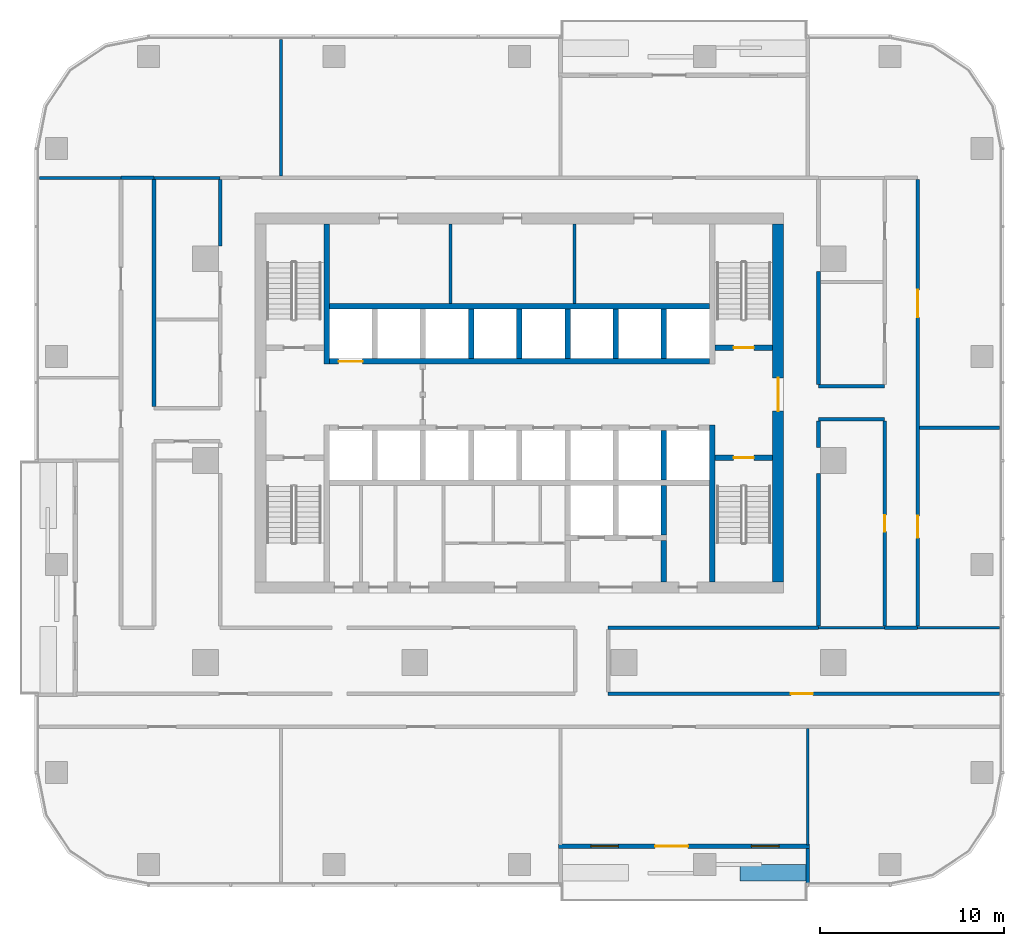
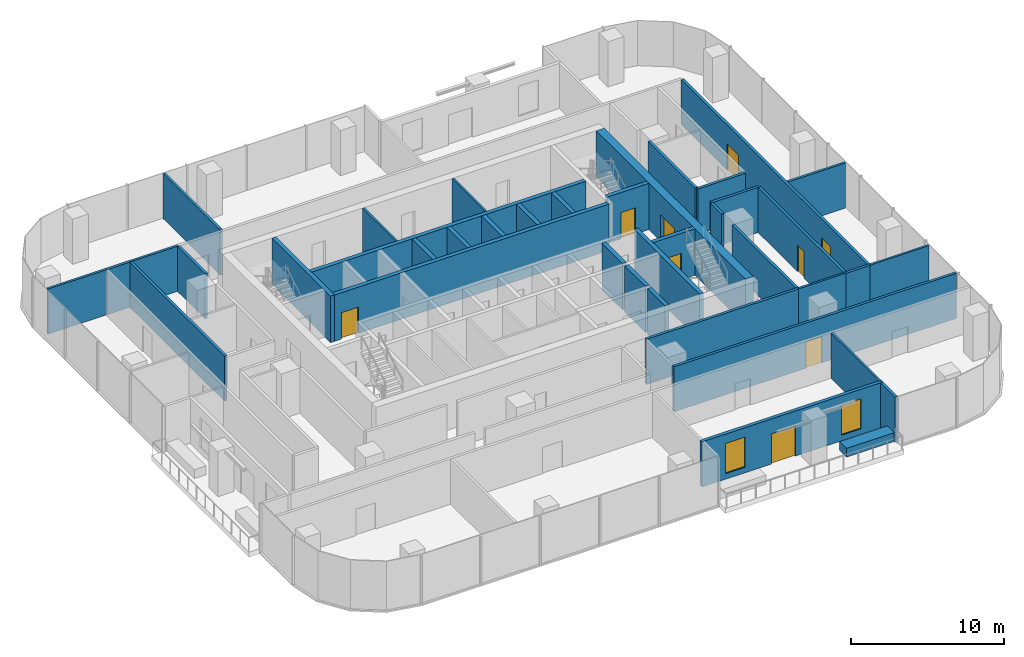
# One storey, part 9 of 14: 40 walls, 9 doors, 2 windows, 11 openings.
"""IFC4 building model written with IfcOpenShell, lengths in metres."""

from ifc_helpers import new_model, si_unit, direction, frame, frame_2d, origin, place, context, subcontext, project, spatial, rectangle, extrude, material, layer, layer_set, type_object, element, fill, save


model = new_model("IFC4")

# Units and contexts
model_context = context("Model", 3, precision=1e-05, world=origin(), true_north=direction((0.0, 1.0)))
body_context = subcontext(model_context, "Body", "Model", "MODEL_VIEW")
ifc_project = project(units=[si_unit("LENGTHUNIT", "METRE"), si_unit("AREAUNIT", "SQUARE_METRE"), si_unit("VOLUMEUNIT", "CUBIC_METRE"), si_unit("PLANEANGLEUNIT", "RADIAN"), si_unit("MASSUNIT", "GRAM", prefix="KILO")], contexts=[model_context])

# Site, building, storey
site_placement = place(None, origin())
site = spatial("IfcSite", under=ifc_project, at=site_placement, CompositionType="ELEMENT")
building_placement = place(site_placement, origin())
building = spatial("IfcBuilding", under=site, at=building_placement, Name="Mopane Tessera Tower", CompositionType="ELEMENT")
storey_placement = place(building_placement, frame((0.0, 0.0, 197.0)))
storey = spatial("IfcBuildingStorey", under=building, at=storey_placement, Name="L41", CompositionType="ELEMENT", Elevation=197.0)

# Walls
ifc_material_1 = material(Name="Fire-rated gypsum board partition")
ifc_layer_1 = layer(ifc_material_1, 0.14990234375)
ifc_layer_set_1 = layer_set([ifc_layer_1], Name="Fire-rated gypsum board partition")
wall_type_1 = type_object("IfcWallType", Name="Core room partition 150 mm", PredefinedType="PARTITIONING", material=ifc_layer_set_1)
for number, where, z_axis, x_axis, name in (
    (1, (-3.75, 8.550048828125, 0.0), (0.0, 0.0, 1.0), (0.0, 1.0, 0.0), "L41 Room partition"),
    (2, (3.0, 8.550048828125, 0.0), (0.0, 0.0, 1.0), (0.0, 1.0, 0.0), "L41 Room partition"),
):
    element("IfcWall", number, at=place(storey_placement, frame(where, z_axis=z_axis, x_axis=x_axis)), inside=storey, type_object=wall_type_1, Name=name, PredefinedType="PARTITIONING", context=body_context, shape_type="SweptSolid", body=[
        extrude(rectangle(XDim=4.349853515625, YDim=0.14990234375, at=frame_2d((2.1748046875, 0.0))), origin(), (0.0, 0.0, 1.0), 3.699951171875),
    ])

# Wall, opening, door
ifc_material_2 = material(Name="Concrete C70/85", Category="concrete")
ifc_layer_2 = layer(ifc_material_2, 0.60009765625)
ifc_layer_set_2 = layer_set([ifc_layer_2], Name="Concrete C70/85")
wall_type_2 = type_object("IfcWallType", Name="Core shear wall 600 mm", PredefinedType="SHEAR", material=ifc_layer_set_2)
wall_1_placement = place(storey_placement, frame((14.10009765625, -6.60009765625, 0.0), z_axis=(0.0, 0.0, 1.0), x_axis=(0.0, 1.0, 0.0)))
wall_1 = element("IfcWall", 3, at=wall_1_placement, inside=storey, type_object=wall_type_2, Name="L41 Core wall east", PredefinedType="SHEAR", context=body_context, shape_type="SweptSolid", body=[
    extrude(rectangle(XDim=19.5, YDim=0.60009765625, at=frame_2d((9.75, 0.0))), origin(), (0.0, 0.0, 1.0), 3.699951171875),
])
opening_1_placement = place(wall_1_placement, frame((9.300048828125, 0.0, 0.0)))
opening_1 = element("IfcOpeningElement", 4, at=opening_1_placement, cuts=wall_1, Name="Opening SD2", PredefinedType="OPENING", context=body_context, shape_type="SweptSolid", body=[
    extrude(rectangle(XDim=1.800048828125, YDim=2.10009765625, at=frame_2d((0.89990234375, 1.050048828125))), frame((0.0, 0.31201171875, 0.0), z_axis=(0.0, -1.0, 0.0), x_axis=(1.0, 0.0, 0.0)), (0.0, 0.0, 1.0), 0.6240234375),
])
ifc_material_3 = material(Name="Steel fire door", Category="steel")
door_type_1 = type_object("IfcDoorType", Name="Core entrance double door 1800 x 2100", OperationType="DOUBLE_DOOR_SINGLE_SWING", PredefinedType="DOOR", material=ifc_material_3)
door_1_placement = place(opening_1_placement, origin())
door_1 = element("IfcDoor", 5, at=door_1_placement, inside=storey, type_object=door_type_1, Name="L41 Core entrance door east", OperationType="DOUBLE_DOOR_SINGLE_SWING", OverallHeight=2.10009765625, OverallWidth=1.800048828125, PredefinedType="DOOR", context=body_context, shape_type="SweptSolid", body=[
    extrude(rectangle(XDim=1.800048828125, YDim=2.10009765625, at=frame_2d((0.89990234375, 1.050048828125))), frame((0.0, 0.02490234375, 0.0), z_axis=(0.0, -1.0, 0.0), x_axis=(1.0, 0.0, 0.0)), (0.0, 0.0, 1.0), 0.050048828125),
])
fill(opening_1, door_1)

# Walls
ifc_material_4 = material(Name="Concrete C60/75", Category="concrete")
ifc_layer_3 = layer(ifc_material_4, 0.300048828125)
ifc_layer_set_3 = layer_set([ifc_layer_3], Name="Concrete C60/75")
wall_type_3 = type_object("IfcWallType", Name="Core spine wall 300 mm", PredefinedType="SHEAR", material=ifc_layer_set_3)
wall_2_placement = place(storey_placement, frame((-10.5, 5.25, 0.0), z_axis=(0.0, 0.0, 1.0), x_axis=(0.0, 1.0, 0.0)))
element("IfcWall", 6, at=wall_2_placement, inside=storey, type_object=wall_type_3, Name="L41 Core spine wall", PredefinedType="SHEAR", context=body_context, shape_type="SweptSolid", body=[
    extrude(rectangle(XDim=7.64990234375, YDim=0.300048828125, at=frame_2d((3.824951171875, 0.0))), origin(), (0.0, 0.0, 1.0), 3.699951171875),
])
wall_3_placement = place(storey_placement, frame((10.5, -6.60009765625, 0.0), z_axis=(0.0, 0.0, 1.0), x_axis=(0.0, 1.0, 0.0)))
element("IfcWall", 7, at=wall_3_placement, inside=storey, type_object=wall_type_3, Name="L41 Core spine wall", PredefinedType="SHEAR", context=body_context, shape_type="SweptSolid", body=[
    extrude(rectangle(XDim=8.550048828125, YDim=0.300048828125, at=frame_2d((4.27490234375, 0.0))), origin(), (0.0, 0.0, 1.0), 3.699951171875),
])
ifc_material_5 = material(Name="Gypsum board on staggered steel studs, double layer each face, acoustic mineral wool infill", Category="steel")
ifc_layer_4 = layer(ifc_material_5, 0.175048828125)
ifc_layer_set_4 = layer_set([ifc_layer_4], Name="Gypsum board on staggered steel studs, double layer each face, acoustic mineral wool infill")
wall_type_4 = type_object("IfcWallType", Name="Gypsum board acoustic partition 175, rated EI 60", PredefinedType="PARTITIONING", material=ifc_layer_set_4)
wall_4_placement = place(storey_placement, frame((21.800048828125, 1.7900390625, 0.0), z_axis=(0.0, 0.0, 1.0), x_axis=(1.0, 0.0, 0.0)))
element("IfcWall", 8, at=wall_4_placement, inside=storey, type_object=wall_type_4, Name="Partition L41:014", PredefinedType="PARTITIONING", context=body_context, shape_type="SweptSolid", body=[
    extrude(rectangle(XDim=4.349853515625, YDim=0.175048828125, at=frame_2d((2.1748046875, 0.0))), origin(), (0.0, 0.0, 1.0), 3.60009765625),
])
wall_5_placement = place(storey_placement, frame((-26.14990234375, 15.39990234375, 0.0), z_axis=(0.0, 0.0, 1.0), x_axis=(1.0, 0.0, 0.0)))
element("IfcWall", 9, at=wall_5_placement, inside=storey, type_object=wall_type_4, Name="Partition L41:021", PredefinedType="PARTITIONING", context=body_context, shape_type="SweptSolid", body=[
    extrude(rectangle(XDim=4.449951171875, YDim=0.175048828125, at=frame_2d((2.22509765625, 0.0))), origin(), (0.0, 0.0, 1.0), 3.60009765625),
])
wall_6_placement = place(storey_placement, frame((-19.89990234375, 15.39990234375, 0.0), z_axis=(0.0, 0.0, 1.0), x_axis=(1.0, 0.0, 0.0)))
element("IfcWall", 10, at=wall_6_placement, inside=storey, type_object=wall_type_4, Name="Partition L41:022", PredefinedType="PARTITIONING", context=body_context, shape_type="SweptSolid", body=[
    extrude(rectangle(XDim=3.599853515625, YDim=0.175048828125, at=frame_2d((1.7998046875, 0.0))), origin(), (0.0, 0.0, 1.0), 3.60009765625),
])
wall_7_placement = place(storey_placement, frame((-12.97509765625, 15.5, 0.0), z_axis=(0.0, 0.0, 1.0), x_axis=(0.0, 1.0, 0.0)))
element("IfcWall", 11, at=wall_7_placement, inside=storey, type_object=wall_type_4, Name="Partition L41:035", PredefinedType="PARTITIONING", context=body_context, shape_type="SweptSolid", body=[
    extrude(rectangle(XDim=7.449951171875, YDim=0.175048828125, at=frame_2d((3.72509765625, 0.0))), origin(), (0.0, 0.0, 1.0), 3.60009765625),
])

# Wall, opening, door
ifc_material_6 = material(Name="Gypsum board on steel studs, two layers each face, mineral wool infill", Category="steel")
ifc_layer_5 = layer(ifc_material_6, 0.199951171875)
ifc_layer_set_5 = layer_set([ifc_layer_5], Name="Gypsum board on steel studs, two layers each face, mineral wool infill")
wall_type_5 = type_object("IfcWallType", Name="Gypsum board corridor wall 200, rated EI 60", PredefinedType="PARTITIONING", material=ifc_layer_set_5)
wall_8_placement = place(storey_placement, frame((4.840087890625, -12.699951171875, 0.0), z_axis=(0.0, 0.0, 1.0), x_axis=(1.0, 0.0, 0.0)))
wall_8 = element("IfcWall", 12, at=wall_8_placement, inside=storey, type_object=wall_type_5, Name="Partition L41:003", PredefinedType="PARTITIONING", context=body_context, shape_type="SweptSolid", body=[
    extrude(rectangle(XDim=21.309814453125, YDim=0.199951171875, at=frame_2d((10.65478515625, 0.0))), origin(), (0.0, 0.0, 1.0), 3.60009765625),
])
opening_2_placement = place(wall_8_placement, frame((9.955078125, 0.0, 0.0)))
opening_2 = element("IfcOpeningElement", 13, at=opening_2_placement, cuts=wall_8, Name="Opening L41-08", PredefinedType="OPENING", context=body_context, shape_type="SweptSolid", body=[
    extrude(rectangle(XDim=1.199951171875, YDim=2.10009765625, at=frame_2d((0.60009765625, 1.050048828125))), frame((0.0, 0.112060546875, 0.0), z_axis=(0.0, -1.0, 0.0), x_axis=(1.0, 0.0, 0.0)), (0.0, 0.0, 1.0), 0.223876953125),
])
ifc_material_7 = material(Name="Timber veneered steel-framed fire door", Category="steel")
door_type_2 = type_object("IfcDoorType", Name="Fire door FD60 1200 x 2100", OperationType="SINGLE_SWING_LEFT", PredefinedType="DOOR", material=ifc_material_7)
door_2_placement = place(opening_2_placement, origin())
door_2 = element("IfcDoor", 14, at=door_2_placement, inside=storey, type_object=door_type_2, Name="Door L41-08", ObjectType="D15A", OperationType="SINGLE_SWING_LEFT", OverallHeight=2.10009765625, OverallWidth=1.199951171875, PredefinedType="DOOR", context=body_context, shape_type="SweptSolid", body=[
    extrude(rectangle(XDim=1.199951171875, YDim=2.10009765625, at=frame_2d((0.60009765625, 1.050048828125))), frame((0.0, 0.02490234375, 0.0), z_axis=(0.0, -1.0, 0.0), x_axis=(1.0, 0.0, 0.0)), (0.0, 0.0, 1.0), 0.050048828125),
])
fill(opening_2, door_2)

# Walls
wall_9_placement = place(storey_placement, frame((4.840087890625, -9.10009765625, 0.0), z_axis=(0.0, 0.0, 1.0), x_axis=(1.0, 0.0, 0.0)))
element("IfcWall", 15, at=wall_9_placement, inside=storey, type_object=wall_type_5, Name="Partition L41:009", PredefinedType="PARTITIONING", context=body_context, shape_type="SweptSolid", body=[
    extrude(rectangle(XDim=11.4599609375, YDim=0.199951171875, at=frame_2d((5.72998046875, 0.0))), origin(), (0.0, 0.0, 1.0), 3.60009765625),
])
wall_10_placement = place(storey_placement, frame((19.89990234375, -9.10009765625, 0.0), z_axis=(0.0, 0.0, 1.0), x_axis=(1.0, 0.0, 0.0)))
element("IfcWall", 16, at=wall_10_placement, inside=storey, type_object=wall_type_5, Name="Partition L41:010", PredefinedType="PARTITIONING", context=body_context, shape_type="SweptSolid", body=[
    extrude(rectangle(XDim=1.800048828125, YDim=0.199951171875, at=frame_2d((0.89990234375, 0.0))), origin(), (0.0, 0.0, 1.0), 3.60009765625),
])
for number, where, z_axis, x_axis, name in (
    (17, (16.300048828125, 2.25, 0.0), (0.0, 0.0, 1.0), (1.0, 0.0, 0.0), "Partition L41:015"),
    (18, (16.300048828125, 4.050048828125, 0.0), (0.0, 0.0, 1.0), (1.0, 0.0, 0.0), "Partition L41:017"),
):
    element("IfcWall", number, at=place(storey_placement, frame(where, z_axis=z_axis, x_axis=x_axis)), inside=storey, type_object=wall_type_5, Name=name, PredefinedType="PARTITIONING", context=body_context, shape_type="SweptSolid", body=[
        extrude(rectangle(XDim=3.599853515625, YDim=0.199951171875, at=frame_2d((1.7998046875, 0.0))), origin(), (0.0, 0.0, 1.0), 3.60009765625),
    ])
wall_11_placement = place(storey_placement, frame((-21.699951171875, 15.39990234375, 0.0), z_axis=(0.0, 0.0, 1.0), x_axis=(1.0, 0.0, 0.0)))
element("IfcWall", 19, at=wall_11_placement, inside=storey, type_object=wall_type_5, Name="Partition L41:024", PredefinedType="PARTITIONING", context=body_context, shape_type="SweptSolid", body=[
    extrude(rectangle(XDim=1.800048828125, YDim=0.199951171875, at=frame_2d((0.89990234375, 0.0))), origin(), (0.0, 0.0, 1.0), 3.60009765625),
])
wall_12_placement = place(storey_placement, frame((-19.89990234375, 2.949951171875, 0.0), z_axis=(0.0, 0.0, 1.0), x_axis=(0.0, 1.0, 0.0)))
element("IfcWall", 20, at=wall_12_placement, inside=storey, type_object=wall_type_5, Name="Partition L41:029", PredefinedType="PARTITIONING", context=body_context, shape_type="SweptSolid", body=[
    extrude(rectangle(XDim=12.35009765625, YDim=0.199951171875, at=frame_2d((6.175048828125, 0.0))), origin(), (0.0, 0.0, 1.0), 3.60009765625),
])
wall_13_placement = place(storey_placement, frame((-16.300048828125, 11.699951171875, 0.0), z_axis=(0.0, 0.0, 1.0), x_axis=(0.0, 1.0, 0.0)))
element("IfcWall", 21, at=wall_13_placement, inside=storey, type_object=wall_type_5, Name="Partition L41:033", PredefinedType="PARTITIONING", context=body_context, shape_type="SweptSolid", body=[
    extrude(rectangle(XDim=3.60009765625, YDim=0.199951171875, at=frame_2d((1.800048828125, 0.0))), origin(), (0.0, 0.0, 1.0), 3.60009765625),
])
wall_14_placement = place(storey_placement, frame((16.300048828125, -9.0, 0.0), z_axis=(0.0, 0.0, 1.0), x_axis=(0.0, 1.0, 0.0)))
element("IfcWall", 22, at=wall_14_placement, inside=storey, type_object=wall_type_5, Name="Partition L41:042", PredefinedType="PARTITIONING", context=body_context, shape_type="SweptSolid", body=[
    extrude(rectangle(XDim=8.300048828125, YDim=0.199951171875, at=frame_2d((4.14990234375, 0.0))), origin(), (0.0, 0.0, 1.0), 3.60009765625),
])
wall_15_placement = place(storey_placement, frame((16.300048828125, 0.699951171875, 0.0), z_axis=(0.0, 0.0, 1.0), x_axis=(0.0, 1.0, 0.0)))
element("IfcWall", 23, at=wall_15_placement, inside=storey, type_object=wall_type_5, Name="Partition L41:043", PredefinedType="PARTITIONING", context=body_context, shape_type="SweptSolid", body=[
    extrude(rectangle(XDim=1.449951171875, YDim=0.199951171875, at=frame_2d((0.72509765625, 0.0))), origin(), (0.0, 0.0, 1.0), 3.60009765625),
])
wall_16_placement = place(storey_placement, frame((16.300048828125, 4.14990234375, 0.0), z_axis=(0.0, 0.0, 1.0), x_axis=(0.0, 1.0, 0.0)))
element("IfcWall", 24, at=wall_16_placement, inside=storey, type_object=wall_type_5, Name="Partition L41:044", PredefinedType="PARTITIONING", context=body_context, shape_type="SweptSolid", body=[
    extrude(rectangle(XDim=6.150146484375, YDim=0.199951171875, at=frame_2d((3.0751953125, 0.0))), origin(), (0.0, 0.0, 1.0), 3.60009765625),
])

# Wall, opening, door
wall_17_placement = place(storey_placement, frame((19.89990234375, -9.0, 0.0), z_axis=(0.0, 0.0, 1.0), x_axis=(0.0, 1.0, 0.0)))
wall_17 = element("IfcWall", 25, at=wall_17_placement, inside=storey, type_object=wall_type_5, Name="Partition L41:046", PredefinedType="PARTITIONING", context=body_context, shape_type="SweptSolid", body=[
    extrude(rectangle(XDim=11.14990234375, YDim=0.199951171875, at=frame_2d((5.574951171875, 0.0))), origin(), (0.0, 0.0, 1.0), 3.60009765625),
])
opening_3_placement = place(wall_17_placement, frame((5.125, 0.0, 0.0)))
opening_3 = element("IfcOpeningElement", 26, at=opening_3_placement, cuts=wall_17, Name="Opening L41-06", PredefinedType="OPENING", context=body_context, shape_type="SweptSolid", body=[
    extrude(rectangle(XDim=0.89990234375, YDim=2.10009765625, at=frame_2d((0.449951171875, 1.050048828125))), frame((0.0, 0.112060546875, 0.0), z_axis=(0.0, -1.0, 0.0), x_axis=(1.0, 0.0, 0.0)), (0.0, 0.0, 1.0), 0.223876953125),
])
ifc_material_8 = material(Name="Timber veneered steel-framed fire door", Category="steel")
door_type_3 = type_object("IfcDoorType", Name="Fire door FD60 900 x 2100", OperationType="SINGLE_SWING_LEFT", PredefinedType="DOOR", material=ifc_material_8)
door_3_placement = place(opening_3_placement, origin())
door_3 = element("IfcDoor", 27, at=door_3_placement, inside=storey, type_object=door_type_3, Name="Door L41-06", ObjectType="D10A", OperationType="SINGLE_SWING_LEFT", OverallHeight=2.10009765625, OverallWidth=0.89990234375, PredefinedType="DOOR", context=body_context, shape_type="SweptSolid", body=[
    extrude(rectangle(XDim=0.89990234375, YDim=2.10009765625, at=frame_2d((0.449951171875, 1.050048828125))), frame((0.0, 0.02490234375, 0.0), z_axis=(0.0, -1.0, 0.0), x_axis=(1.0, 0.0, 0.0)), (0.0, 0.0, 1.0), 0.050048828125),
])
fill(opening_3, door_3)

# Wall, openings, doors
wall_18_placement = place(storey_placement, frame((21.699951171875, -9.0, 0.0), z_axis=(0.0, 0.0, 1.0), x_axis=(0.0, 1.0, 0.0)))
wall_18 = element("IfcWall", 28, at=wall_18_placement, inside=storey, type_object=wall_type_5, Name="Partition L41:048", PredefinedType="PARTITIONING", context=body_context, shape_type="SweptSolid", body=[
    extrude(rectangle(XDim=24.300048828125, YDim=0.199951171875, at=frame_2d((12.14990234375, 0.0))), origin(), (0.0, 0.0, 1.0), 3.60009765625),
])
opening_4_placement = place(wall_18_placement, frame((4.794921875, 0.0, 0.0)))
opening_4 = element("IfcOpeningElement", 29, at=opening_4_placement, cuts=wall_18, Name="Opening L41-14", PredefinedType="OPENING", context=body_context, shape_type="SweptSolid", body=[
    extrude(rectangle(XDim=1.199951171875, YDim=2.10009765625, at=frame_2d((0.60009765625, 1.050048828125))), frame((0.0, 0.112060546875, 0.0), z_axis=(0.0, -1.0, 0.0), x_axis=(1.0, 0.0, 0.0)), (0.0, 0.0, 1.0), 0.223876953125),
])
opening_5_placement = place(wall_18_placement, frame((16.794921875, 0.0, 0.0)))
opening_5 = element("IfcOpeningElement", 30, at=opening_5_placement, cuts=wall_18, Name="Opening L41-17", PredefinedType="OPENING", context=body_context, shape_type="SweptSolid", body=[
    extrude(rectangle(XDim=1.5, YDim=2.10009765625, at=frame_2d((0.75, 1.050048828125))), frame((0.0, 0.112060546875, 0.0), z_axis=(0.0, -1.0, 0.0), x_axis=(1.0, 0.0, 0.0)), (0.0, 0.0, 1.0), 0.223876953125),
])
door_4_placement = place(opening_4_placement, origin())
door_4 = element("IfcDoor", 31, at=door_4_placement, inside=storey, type_object=door_type_2, Name="Door L41-14", ObjectType="D15A", OperationType="SINGLE_SWING_RIGHT", OverallHeight=2.10009765625, OverallWidth=1.199951171875, PredefinedType="DOOR", context=body_context, shape_type="SweptSolid", body=[
    extrude(rectangle(XDim=1.199951171875, YDim=2.10009765625, at=frame_2d((0.60009765625, 1.050048828125))), frame((0.0, 0.02490234375, 0.0), z_axis=(0.0, -1.0, 0.0), x_axis=(1.0, 0.0, 0.0)), (0.0, 0.0, 1.0), 0.050048828125),
])
fill(opening_4, door_4)
ifc_material_9 = material(Name="Timber veneered steel-framed fire door", Category="steel")
door_type_4 = type_object("IfcDoorType", Name="Fire door pair FD60 1500 x 2100", OperationType="DOUBLE_DOOR_SINGLE_SWING", PredefinedType="DOOR", material=ifc_material_9)
door_5_placement = place(opening_5_placement, origin())
door_5 = element("IfcDoor", 32, at=door_5_placement, inside=storey, type_object=door_type_4, Name="Door L41-17", ObjectType="D17A", OperationType="DOUBLE_DOOR_SINGLE_SWING", OverallHeight=2.10009765625, OverallWidth=1.5, PredefinedType="DOOR", context=body_context, shape_type="SweptSolid", body=[
    extrude(rectangle(XDim=1.5, YDim=2.10009765625, at=frame_2d((0.75, 1.050048828125))), frame((0.0, 0.02490234375, 0.0), z_axis=(0.0, -1.0, 0.0), x_axis=(1.0, 0.0, 0.0)), (0.0, 0.0, 1.0), 0.050048828125),
])
fill(opening_5, door_5)

# Walls
ifc_material_10 = material(Name="Gypsum board on steel studs, mineral wool infill", Category="steel")
ifc_layer_6 = layer(ifc_material_10, 0.14990234375)
ifc_layer_set_6 = layer_set([ifc_layer_6], Name="Gypsum board on steel studs, mineral wool infill")
wall_type_6 = type_object("IfcWallType", Name="Gypsum board partition 150, rated EI 60", PredefinedType="PARTITIONING", material=ifc_layer_set_6)
wall_19_placement = place(storey_placement, frame((16.300048828125, -9.10009765625, 0.0), z_axis=(0.0, 0.0, 1.0), x_axis=(1.0, 0.0, 0.0)))
element("IfcWall", 33, at=wall_19_placement, inside=storey, type_object=wall_type_6, Name="Partition L41:004", PredefinedType="PARTITIONING", context=body_context, shape_type="SweptSolid", body=[
    extrude(rectangle(XDim=3.599853515625, YDim=0.14990234375, at=frame_2d((1.7998046875, 0.0))), origin(), (0.0, 0.0, 1.0), 3.60009765625),
])
wall_20_placement = place(storey_placement, frame((21.699951171875, -9.10009765625, 0.0), z_axis=(0.0, 0.0, 1.0), x_axis=(1.0, 0.0, 0.0)))
element("IfcWall", 34, at=wall_20_placement, inside=storey, type_object=wall_type_6, Name="Partition L41:005", PredefinedType="PARTITIONING", context=body_context, shape_type="SweptSolid", body=[
    extrude(rectangle(XDim=4.449951171875, YDim=0.14990234375, at=frame_2d((2.22509765625, 0.0))), origin(), (0.0, 0.0, 1.0), 3.60009765625),
])
wall_21_placement = place(storey_placement, frame((15.7099609375, -20.949951171875, 0.0), z_axis=(0.0, 0.0, 1.0), x_axis=(0.0, 1.0, 0.0)))
element("IfcWall", 35, at=wall_21_placement, inside=storey, type_object=wall_type_6, Name="Partition L41:040", PredefinedType="PARTITIONING", context=body_context, shape_type="SweptSolid", body=[
    extrude(rectangle(XDim=6.349853515625, YDim=0.14990234375, at=frame_2d((3.1748046875, 0.0))), origin(), (0.0, 0.0, 1.0), 3.60009765625),
])

# Wall, opening, door
ifc_material_11 = material(Name="Concrete C50/60", Category="concrete")
ifc_layer_7 = layer(ifc_material_11, 0.300048828125)
ifc_layer_set_7 = layer_set([ifc_layer_7], Name="Concrete C50/60")
wall_type_7 = type_object("IfcWallType", Name="Lift and stair shaft wall 300 mm", PredefinedType="SOLIDWALL", material=ifc_layer_set_7)
wall_22_placement = place(storey_placement, frame((10.64990234375, 0.14990234375, 0.0), z_axis=(0.0, 0.0, 1.0), x_axis=(1.0, 0.0, 0.0)))
wall_22 = element("IfcWall", 36, at=wall_22_placement, inside=storey, type_object=wall_type_7, Name="L41 Stair enclosure wall", PredefinedType="SOLIDWALL", context=body_context, shape_type="SweptSolid", body=[
    extrude(rectangle(XDim=3.150146484375, YDim=0.300048828125, at=frame_2d((1.5751953125, 0.0))), origin(), (0.0, 0.0, 1.0), 3.699951171875),
])
opening_6_placement = place(wall_22_placement, frame((1.02490234375, 0.0, 0.0)))
opening_6 = element("IfcOpeningElement", 37, at=opening_6_placement, cuts=wall_22, Name="Opening SD1", PredefinedType="OPENING", context=body_context, shape_type="SweptSolid", body=[
    extrude(rectangle(XDim=1.10009765625, YDim=2.10009765625, at=frame_2d((0.550048828125, 1.050048828125))), frame((0.0, 0.162109375, 0.0), z_axis=(0.0, -1.0, 0.0), x_axis=(1.0, 0.0, 0.0)), (0.0, 0.0, 1.0), 0.323974609375),
])
ifc_material_12 = material(Name="Steel fire door", Category="steel")
door_type_5 = type_object("IfcDoorType", Name="Stair fire door 1100 x 2100", OperationType="SINGLE_SWING_LEFT", PredefinedType="DOOR", material=ifc_material_12)
door_6_placement = place(opening_6_placement, origin())
door_6 = element("IfcDoor", 38, at=door_6_placement, inside=storey, type_object=door_type_5, Name="L41 Stair door ST3", OperationType="SINGLE_SWING_RIGHT", OverallHeight=2.10009765625, OverallWidth=1.10009765625, PredefinedType="DOOR", context=body_context, shape_type="SweptSolid", body=[
    extrude(rectangle(XDim=1.10009765625, YDim=2.10009765625, at=frame_2d((0.550048828125, 1.050048828125))), frame((0.0, 0.02490234375, 0.0), z_axis=(0.0, -1.0, 0.0), x_axis=(1.0, 0.0, 0.0)), (0.0, 0.0, 1.0), 0.050048828125),
])
fill(opening_6, door_6)

wall_23_placement = place(storey_placement, frame((10.64990234375, 6.14990234375, 0.0), z_axis=(0.0, 0.0, 1.0), x_axis=(1.0, 0.0, 0.0)))
wall_23 = element("IfcWall", 39, at=wall_23_placement, inside=storey, type_object=wall_type_7, Name="L41 Stair enclosure wall", PredefinedType="SOLIDWALL", context=body_context, shape_type="SweptSolid", body=[
    extrude(rectangle(XDim=3.150146484375, YDim=0.300048828125, at=frame_2d((1.5751953125, 0.0))), origin(), (0.0, 0.0, 1.0), 3.699951171875),
])
opening_7_placement = place(wall_23_placement, frame((1.02490234375, 0.0, 0.0)))
opening_7 = element("IfcOpeningElement", 40, at=opening_7_placement, cuts=wall_23, Name="Opening SD1", PredefinedType="OPENING", context=body_context, shape_type="SweptSolid", body=[
    extrude(rectangle(XDim=1.10009765625, YDim=2.10009765625, at=frame_2d((0.550048828125, 1.050048828125))), frame((0.0, 0.162109375, 0.0), z_axis=(0.0, -1.0, 0.0), x_axis=(1.0, 0.0, 0.0)), (0.0, 0.0, 1.0), 0.323974609375),
])
door_7_placement = place(opening_7_placement, origin())
door_7 = element("IfcDoor", 41, at=door_7_placement, inside=storey, type_object=door_type_5, Name="L41 Stair door ST4", OperationType="SINGLE_SWING_RIGHT", OverallHeight=2.10009765625, OverallWidth=1.10009765625, PredefinedType="DOOR", context=body_context, shape_type="SweptSolid", body=[
    extrude(rectangle(XDim=1.10009765625, YDim=2.10009765625, at=frame_2d((0.550048828125, 1.050048828125))), frame((0.0, 0.02490234375, 0.0), z_axis=(0.0, -1.0, 0.0), x_axis=(1.0, 0.0, 0.0)), (0.0, 0.0, 1.0), 0.050048828125),
])
fill(opening_7, door_7)

wall_24_placement = place(storey_placement, frame((-10.35009765625, 5.39990234375, 0.0), z_axis=(0.0, 0.0, 1.0), x_axis=(1.0, 0.0, 0.0)))
wall_24 = element("IfcWall", 42, at=wall_24_placement, inside=storey, type_object=wall_type_7, Name="L41 Lift shaft front wall", PredefinedType="SOLIDWALL", context=body_context, shape_type="SweptSolid", body=[
    extrude(rectangle(XDim=20.7001953125, YDim=0.300048828125, at=frame_2d((10.35009765625, 0.0))), origin(), (0.0, 0.0, 1.0), 3.699951171875),
])
opening_8_placement = place(wall_24_placement, frame((0.512451171875, 0.0, 0.0)))
opening_8 = element("IfcOpeningElement", 43, at=opening_8_placement, cuts=wall_24, Name="Opening LD2", PredefinedType="OPENING", context=body_context, shape_type="SweptSolid", body=[
    extrude(rectangle(XDim=1.300048828125, YDim=2.10009765625, at=frame_2d((0.64990234375, 1.050048828125))), frame((0.0, 0.162109375, 0.0), z_axis=(0.0, -1.0, 0.0), x_axis=(1.0, 0.0, 0.0)), (0.0, 0.0, 1.0), 0.323974609375),
])
ifc_material_13 = material(Name="Stainless steel sliding door", Category="steel")
door_type_6 = type_object("IfcDoorType", Name="Fire-fighting lift landing door 1300 x 2100", OperationType="DOUBLE_DOOR_SLIDING", PredefinedType="DOOR", material=ifc_material_13)
door_8_placement = place(opening_8_placement, origin())
door_8 = element("IfcDoor", 44, at=door_8_placement, inside=storey, type_object=door_type_6, Name="L41 Lift landing door FF2", OperationType="DOUBLE_DOOR_SLIDING", OverallHeight=2.10009765625, OverallWidth=1.300048828125, PredefinedType="DOOR", context=body_context, shape_type="SweptSolid", body=[
    extrude(rectangle(XDim=1.300048828125, YDim=2.10009765625, at=frame_2d((0.64990234375, 1.050048828125))), frame((0.0, 0.02490234375, 0.0), z_axis=(0.0, -1.0, 0.0), x_axis=(1.0, 0.0, 0.0)), (0.0, 0.0, 1.0), 0.050048828125),
])
fill(opening_8, door_8)

# Walls
wall_25_placement = place(storey_placement, frame((-10.35009765625, 8.39990234375, 0.0), z_axis=(0.0, 0.0, 1.0), x_axis=(1.0, 0.0, 0.0)))
element("IfcWall", 45, at=wall_25_placement, inside=storey, type_object=wall_type_7, Name="L41 Lift shaft rear wall", PredefinedType="SOLIDWALL", context=body_context, shape_type="SweptSolid", body=[
    extrude(rectangle(XDim=20.7001953125, YDim=0.300048828125, at=frame_2d((10.35009765625, 0.0))), origin(), (0.0, 0.0, 1.0), 3.699951171875),
])
for number, where, z_axis, x_axis, name in (
    (46, (7.875, -1.050048828125, 0.0), (0.0, 0.0, 1.0), (0.0, 1.0, 0.0), "L41 Lift shaft wall"),
    (47, (-2.625, 5.550048828125, 0.0), (0.0, 0.0, 1.0), (0.0, 1.0, 0.0), "L41 Lift shaft wall"),
    (48, (0.0, 5.550048828125, 0.0), (0.0, 0.0, 1.0), (0.0, 1.0, 0.0), "L41 Lift shaft wall"),
    (49, (2.625, 5.550048828125, 0.0), (0.0, 0.0, 1.0), (0.0, 1.0, 0.0), "L41 Lift shaft wall"),
    (50, (5.25, 5.550048828125, 0.0), (0.0, 0.0, 1.0), (0.0, 1.0, 0.0), "L41 Lift shaft wall"),
    (51, (7.875, 5.550048828125, 0.0), (0.0, 0.0, 1.0), (0.0, 1.0, 0.0), "L41 Lift shaft wall"),
    (52, (7.875, -4.050048828125, 0.0), (0.0, 0.0, 1.0), (0.0, 1.0, 0.0), "L41 Lift shaft wall"),
):
    element("IfcWall", number, at=place(storey_placement, frame(where, z_axis=z_axis, x_axis=x_axis)), inside=storey, type_object=wall_type_7, Name=name, PredefinedType="SOLIDWALL", context=body_context, shape_type="SweptSolid", body=[
        extrude(rectangle(XDim=2.699951171875, YDim=0.300048828125, at=frame_2d((1.35009765625, 0.0))), origin(), (0.0, 0.0, 1.0), 3.699951171875),
    ])
ifc_material_14 = material(Name="Concrete C50/60", Category="concrete")
ifc_layer_8 = layer(ifc_material_14, 0.300048828125)
ifc_layer_set_8 = layer_set([ifc_layer_8], Name="Concrete C50/60")
wall_type_8 = type_object("IfcWallType", Name="Lobby and refuge room wall 300 mm", PredefinedType="SOLIDWALL", material=ifc_layer_set_8)
wall_26_placement = place(storey_placement, frame((7.875, -6.60009765625, 0.0), z_axis=(0.0, 0.0, 1.0), x_axis=(0.0, 1.0, 0.0)))
element("IfcWall", 53, at=wall_26_placement, inside=storey, type_object=wall_type_8, Name="L41 Service lobby wall", PredefinedType="SOLIDWALL", context=body_context, shape_type="SweptSolid", body=[
    extrude(rectangle(XDim=2.25, YDim=0.300048828125, at=frame_2d((1.125, 0.0))), origin(), (0.0, 0.0, 1.0), 3.699951171875),
])
ifc_material_15 = material(Name="Reinforced concrete C32/40 with waterproofing", Category="concrete")
ifc_layer_9 = layer(ifc_material_15, 0.89990234375)
ifc_layer_set_9 = layer_set([ifc_layer_9], Name="Reinforced concrete C32/40 with waterproofing")
wall_type_9 = type_object("IfcWallType", Name="Planter trough 3600 x 900", PredefinedType="STANDARD", material=ifc_layer_set_9)
wall_27_placement = place(storey_placement, frame((12.01123046875, -22.449951171875, 0.0), z_axis=(0.0, 0.0, 1.0), x_axis=(1.0, 0.0, 0.0)))
element("IfcWall", 54, at=wall_27_placement, inside=storey, type_object=wall_type_9, Name="e:nw:L41:N2:pl1", PredefinedType="STANDARD", context=body_context, shape_type="SweptSolid", body=[
    extrude(rectangle(XDim=3.599853515625, YDim=0.89990234375, at=frame_2d((1.7998046875, 0.0))), origin(), (0.0, 0.0, 1.0), 0.699951171875),
])
ifc_material_16 = material(Name="Blockwork with glazed tile facing", Category="masonry")
ifc_layer_10 = layer(ifc_material_16, 0.199951171875)
ifc_layer_set_10 = layer_set([ifc_layer_10], Name="Blockwork with glazed tile facing")
wall_type_10 = type_object("IfcWallType", Name="Terrace cheek wall 200", PredefinedType="STANDARD", material=ifc_layer_set_10)
wall_28_placement = place(storey_placement, frame((15.711181640625, -23.0, 0.0), z_axis=(0.0, 0.0, 1.0), x_axis=(0.0, 1.0, 0.0)))
element("IfcWall", 55, at=wall_28_placement, inside=storey, type_object=wall_type_10, Name="e:nw:L41:N2:cheekb", PredefinedType="STANDARD", context=body_context, shape_type="SweptSolid", body=[
    extrude(rectangle(XDim=1.875, YDim=0.199951171875, at=frame_2d((0.9375, 0.0))), origin(), (0.0, 0.0, 1.0), 3.60009765625),
])

# Wall, openings, windows, door
ifc_material_17 = material(Name="Blockwork with turquoise glazed tile facing", Category="masonry")
ifc_layer_11 = layer(ifc_material_17, 0.25)
ifc_layer_set_11 = layer_set([ifc_layer_11], Name="Blockwork with turquoise glazed tile facing")
wall_type_11 = type_object("IfcWallType", Name="Tile-clad external wall 250, turquoise", PredefinedType="STANDARD", material=ifc_layer_set_11)
wall_29_placement = place(storey_placement, frame((2.14453125, -21.0, 0.0), z_axis=(0.0, 0.0, 1.0), x_axis=(1.0, 0.0, 0.0)))
wall_29 = element("IfcWall", 56, at=wall_29_placement, inside=storey, type_object=wall_type_11, Name="e:nw:L41:N2:back", PredefinedType="STANDARD", context=body_context, shape_type="SweptSolid", body=[
    extrude(rectangle(XDim=13.66650390625, YDim=0.25, at=frame_2d((6.833251953125, 0.0))), origin(), (0.0, 0.0, 1.0), 3.60009765625),
])
opening_9_placement = place(wall_29_placement, frame((1.75, 0.0, 0.449951171875)))
opening_9 = element("IfcOpeningElement", 57, at=opening_9_placement, cuts=wall_29, Name="Opening NW412A", PredefinedType="OPENING", context=body_context, shape_type="SweptSolid", body=[
    extrude(rectangle(XDim=1.5, YDim=2.39990234375, at=frame_2d((0.75, 1.199951171875))), frame((0.0, 0.136962890625, 0.0), z_axis=(0.0, -1.0, 0.0), x_axis=(1.0, 0.0, 0.0)), (0.0, 0.0, 1.0), 0.27392578125),
])
opening_10_placement = place(wall_29_placement, frame((5.25, 0.0, 0.0)))
opening_10 = element("IfcOpeningElement", 58, at=opening_10_placement, cuts=wall_29, Name="Opening ND412", PredefinedType="OPENING", context=body_context, shape_type="SweptSolid", body=[
    extrude(rectangle(XDim=1.800048828125, YDim=2.39990234375, at=frame_2d((0.89990234375, 1.199951171875))), frame((0.0, 0.136962890625, 0.0), z_axis=(0.0, -1.0, 0.0), x_axis=(1.0, 0.0, 0.0)), (0.0, 0.0, 1.0), 0.27392578125),
])
opening_11_placement = place(wall_29_placement, frame((10.5, 0.0, 0.449951171875)))
opening_11 = element("IfcOpeningElement", 59, at=opening_11_placement, cuts=wall_29, Name="Opening NW412B", PredefinedType="OPENING", context=body_context, shape_type="SweptSolid", body=[
    extrude(rectangle(XDim=1.5, YDim=2.39990234375, at=frame_2d((0.75, 1.199951171875))), frame((0.0, 0.136962890625, 0.0), z_axis=(0.0, -1.0, 0.0), x_axis=(1.0, 0.0, 0.0)), (0.0, 0.0, 1.0), 0.27392578125),
])
ifc_material_18 = material(Name="Clear laminated glass", Category="glass")
window_type = type_object("IfcWindowType", Name="Fixed window 1500 x 2400", PartitioningType="SINGLE_PANEL", PredefinedType="WINDOW", material=ifc_material_18)
window_1_placement = place(opening_9_placement, origin())
window_1 = element("IfcWindow", 60, at=window_1_placement, inside=storey, type_object=window_type, Name="e:nw:L41:N2:win0", OverallHeight=2.39990234375, OverallWidth=1.5, PartitioningType="SINGLE_PANEL", PredefinedType="WINDOW", context=body_context, shape_type="SweptSolid", body=[
    extrude(rectangle(XDim=1.5, YDim=2.39990234375, at=frame_2d((0.75, 1.199951171875))), frame((0.0, 0.030029296875, 0.0), z_axis=(0.0, -1.0, 0.0), x_axis=(1.0, 0.0, 0.0)), (0.0, 0.0, 1.0), 0.06005859375),
])
fill(opening_9, window_1)
window_2_placement = place(opening_11_placement, origin())
window_2 = element("IfcWindow", 61, at=window_2_placement, inside=storey, type_object=window_type, Name="e:nw:L41:N2:win2", OverallHeight=2.39990234375, OverallWidth=1.5, PartitioningType="SINGLE_PANEL", PredefinedType="WINDOW", context=body_context, shape_type="SweptSolid", body=[
    extrude(rectangle(XDim=1.5, YDim=2.39990234375, at=frame_2d((0.75, 1.199951171875))), frame((0.0, 0.030029296875, 0.0), z_axis=(0.0, -1.0, 0.0), x_axis=(1.0, 0.0, 0.0)), (0.0, 0.0, 1.0), 0.06005859375),
])
fill(opening_11, window_2)
ifc_material_19 = material(Name="Aluminium and clear glass", Category="aluminium")
door_type_7 = type_object("IfcDoorType", Name="Terrace double door 1800 x 2400", OperationType="DOUBLE_DOOR_SINGLE_SWING", PredefinedType="DOOR", material=ifc_material_19)
door_9_placement = place(opening_10_placement, origin())
door_9 = element("IfcDoor", 62, at=door_9_placement, inside=storey, type_object=door_type_7, Name="e:nw:L41:N2:door", ObjectType="D1", OperationType="DOUBLE_DOOR_SINGLE_SWING", OverallHeight=2.39990234375, OverallWidth=1.800048828125, PredefinedType="DOOR", context=body_context, shape_type="SweptSolid", body=[
    extrude(rectangle(XDim=1.800048828125, YDim=2.39990234375, at=frame_2d((0.89990234375, 1.199951171875))), frame((0.0, 0.02490234375, 0.0), z_axis=(0.0, -1.0, 0.0), x_axis=(1.0, 0.0, 0.0)), (0.0, 0.0, 1.0), 0.050048828125),
])
fill(opening_10, door_9)

save(model, "model.ifc")
